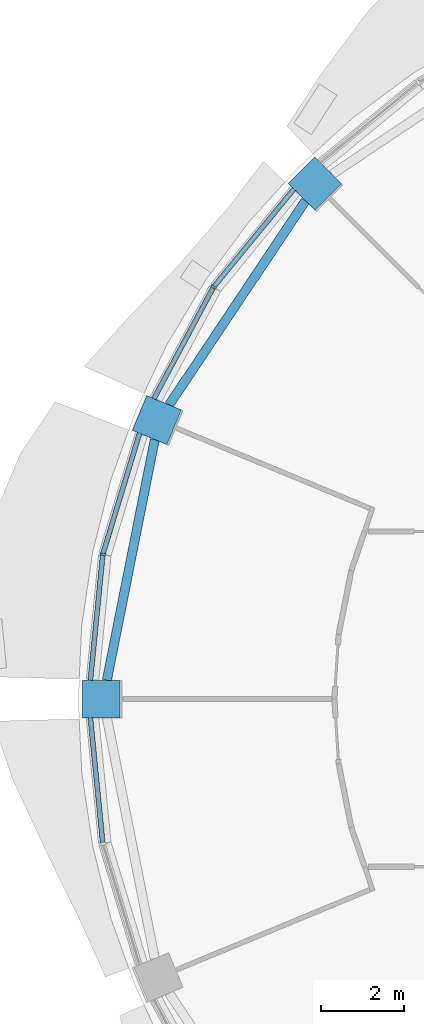
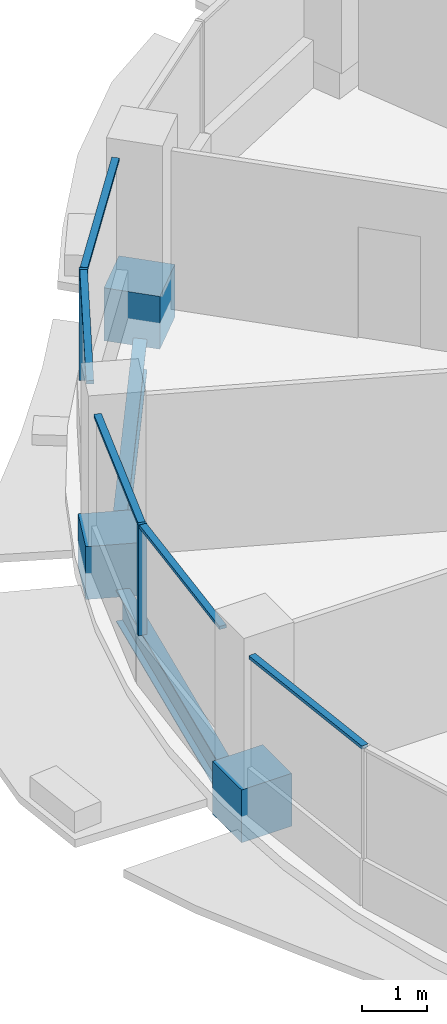
# One storey, part 4 of 15: 10 members, 2 beams, 3 elements without a shape of their own.
"""IFC4 building model written with IfcOpenShell, lengths in metres."""

from ifc_helpers import new_model, si_unit, direction, frame, origin, origin_2d, place, context, subcontext, project, spatial, rectangle, i_section, extrude, material, material_profile, profile_set, type_object, element, aggregate, save


model = new_model("IFC4")

# Units and contexts
model_context = context("Model", 3, precision=1e-05, world=origin(), true_north=direction((0.0, 1.0)))
body_context = subcontext(model_context, "Body", "Model", "MODEL_VIEW")
ifc_project = project(units=[si_unit("LENGTHUNIT", "METRE"), si_unit("AREAUNIT", "SQUARE_METRE"), si_unit("VOLUMEUNIT", "CUBIC_METRE"), si_unit("PLANEANGLEUNIT", "RADIAN"), si_unit("MASSUNIT", "GRAM", prefix="KILO")], contexts=[model_context])

# Site, building, storey
site_placement = place(None, origin())
site = spatial("IfcSite", under=ifc_project, at=site_placement, CompositionType="ELEMENT")
building_placement = place(site_placement, origin())
building = spatial("IfcBuilding", under=site, at=building_placement, Name="Polderwave Tower", CompositionType="ELEMENT")
storey_placement = place(building_placement, frame((0.0, 0.0, 187.64990234375)))
storey = spatial("IfcBuildingStorey", under=building, at=storey_placement, Name="L50", CompositionType="ELEMENT", Elevation=187.64990234375)

# Curtain wall, member
ifc_material_1 = material(Name="Aluminium 6063-T6 and glass", Category="aluminium")
curtain_wall_type = type_object("IfcCurtainWallType", Name="Office ribbon glazing wall", PredefinedType="NOTDEFINED", material=ifc_material_1)
curtain_wall_1_placement = place(storey_placement, origin())
curtain_wall_1 = element("IfcCurtainWall", 1, at=curtain_wall_1_placement, inside=storey, type_object=curtain_wall_type, Name="CW3 L50 06", PredefinedType="NOTDEFINED")
ifc_material_2 = material(Name="Aluminium 6063-T6", Category="aluminium")
ifc_material_profile_1 = material_profile(ifc_material_2, rectangle(XDim=0.139892578125, YDim=0.054931640625, at=origin_2d()), Name="AL 55x140")
ifc_profile_set_1 = profile_set([ifc_material_profile_1], Name="Aluminium 6063-T6")
member_type_1 = type_object("IfcMemberType", Name="Office ribbon glazing mullion 55x140", PredefinedType="MULLION", material=ifc_profile_set_1)
member_1_placement = place(storey_placement, frame((-14.800048828125, 9.888916015625, 0.900146484375), z_axis=(0.0, 0.0, 1.0), x_axis=(0.831419186923, -0.55564569252, 0.0)))
member_1 = element("IfcMember", 2, at=member_1_placement, type_object=member_type_1, Name="CW3 mullion 1", PredefinedType="MULLION", context=body_context, shape_type="SweptSolid", body=[
    extrude(rectangle(XDim=0.139892578125, YDim=0.054931640625, at=origin_2d()), origin(), (0.0, 0.0, 1.0), 2.099853515625),
])

curtain_wall_2_placement = place(storey_placement, origin())
curtain_wall_2 = element("IfcCurtainWall", 3, at=curtain_wall_2_placement, inside=storey, type_object=curtain_wall_type, Name="CW3 L50 07", PredefinedType="NOTDEFINED")
member_2_placement = place(storey_placement, frame((-17.4580078125, 3.472900390625, 0.900146484375), z_axis=(0.0, 0.0, 1.0), x_axis=(0.980762460409, -0.195205010829, 0.0)))
member_2 = element("IfcMember", 4, at=member_2_placement, type_object=member_type_1, Name="CW3 mullion 1", PredefinedType="MULLION", context=body_context, shape_type="SweptSolid", body=[
    extrude(rectangle(XDim=0.139892578125, YDim=0.054931640625, at=origin_2d()), origin(), (0.0, 0.0, 1.0), 2.099853515625),
])

# Member
ifc_material_profile_2 = material_profile(ifc_material_2, rectangle(XDim=0.1201171875, YDim=0.06005859375, at=origin_2d()), Name="AL 60x120")
ifc_profile_set_2 = profile_set([ifc_material_profile_2], Name="Aluminium 6063-T6")
member_type_2 = type_object("IfcMemberType", Name="Office ribbon glazing transom 60x120", PredefinedType="USERDEFINED", material=ifc_profile_set_2)
member_3_placement = place(storey_placement, frame((-12.873046875, 12.237060546875, 2.97021484375), z_axis=(-0.634438411451, -0.772973416151, 0.0), x_axis=(0.772973416151, -0.634438411451, 0.0)))
member_3 = element("IfcMember", 5, at=member_3_placement, type_object=member_type_2, Name="CW3 transom 1", ObjectType="TRANSOM", PredefinedType="USERDEFINED", context=body_context, shape_type="SweptSolid", body=[
    extrude(rectangle(XDim=0.1201171875, YDim=0.06005859375, at=origin_2d()), origin(), (0.0, 0.0, 1.0), 3.010009765625),
])

member_4_placement = place(storey_placement, frame((-14.81298828125, 9.86474609375, 2.97021484375), z_axis=(-0.471514347904, -0.881858389834, 0.0), x_axis=(0.881858389834, -0.471514347904, 0.0)))
member_4 = element("IfcMember", 6, at=member_4_placement, type_object=member_type_2, Name="CW3 transom 2", ObjectType="TRANSOM", PredefinedType="USERDEFINED", context=body_context, shape_type="SweptSolid", body=[
    extrude(rectangle(XDim=0.1201171875, YDim=0.06005859375, at=origin_2d()), origin(), (0.0, 0.0, 1.0), 3.00927734375),
])

aggregate(curtain_wall_1, [member_1, member_3, member_4])

member_5_placement = place(storey_placement, frame((-16.575927734375, 6.37890625, 2.97021484375), z_axis=(-0.290435177237, -0.956894669137, 0.0), x_axis=(0.956894669137, -0.290435177237, 0.0)))
member_5 = element("IfcMember", 7, at=member_5_placement, type_object=member_type_2, Name="CW3 transom 1", ObjectType="TRANSOM", PredefinedType="USERDEFINED", context=body_context, shape_type="SweptSolid", body=[
    extrude(rectangle(XDim=0.1201171875, YDim=0.06005859375, at=origin_2d()), origin(), (0.0, 0.0, 1.0), 3.00927734375),
])

member_6_placement = place(storey_placement, frame((-17.460693359375, 3.445556640625, 2.97021484375), z_axis=(-0.098138471931, -0.995172769084, 0.0), x_axis=(0.995172769084, -0.098138471931, 0.0)))
member_6 = element("IfcMember", 8, at=member_6_placement, type_object=member_type_2, Name="CW3 transom 2", ObjectType="TRANSOM", PredefinedType="USERDEFINED", context=body_context, shape_type="SweptSolid", body=[
    extrude(rectangle(XDim=0.1201171875, YDim=0.06005859375, at=origin_2d()), origin(), (0.0, 0.0, 1.0), 3.01025390625),
])

aggregate(curtain_wall_2, [member_2, member_5, member_6])

# Curtain wall, member
curtain_wall_3_placement = place(storey_placement, origin())
curtain_wall_3 = element("IfcCurtainWall", 9, at=curtain_wall_3_placement, inside=storey, type_object=curtain_wall_type, Name="CW3 L50 08", PredefinedType="NOTDEFINED")
member_7_placement = place(storey_placement, frame((-17.756103515625, -0.449951171875, 2.97021484375), z_axis=(0.098138471931, -0.995172769084, 0.0), x_axis=(0.995172769084, 0.098138471931, 0.0)))
member_7 = element("IfcMember", 10, at=member_7_placement, type_object=member_type_2, Name="CW3 transom 1", ObjectType="TRANSOM", PredefinedType="USERDEFINED", context=body_context, shape_type="SweptSolid", body=[
    extrude(rectangle(XDim=0.1201171875, YDim=0.06005859375, at=origin_2d()), origin(), (0.0, 0.0, 1.0), 3.01025390625),
])
aggregate(curtain_wall_3, [member_7])

# Members
ifc_material_3 = material(Name="Concrete C60/75", Category="concrete")
ifc_material_profile_3 = material_profile(ifc_material_3, rectangle(XDim=0.89990234375, YDim=0.89990234375, at=origin_2d()), Name="RC 900x900")
ifc_profile_set_3 = profile_set([ifc_material_profile_3], Name="Concrete C60/75")
member_type_3 = type_object("IfcMemberType", Name="RC NODE 900x900 C60/75", PredefinedType="POST", material=ifc_profile_set_3)
for number, where, z_axis, x_axis, name in (
    (11, (-12.369140625, 12.369140625, -0.5), (0.0, 0.0, 1.0), (-0.707106781187, 0.707106781187, 0.0), "Ring column node 07"),
    (12, (-16.160888671875, 6.694091796875, -0.5), (0.0, 0.0, 1.0), (-0.923879532511, 0.382683432365, 0.0), "Ring column node 08"),
    (13, (-17.492431640625, 0.0, -0.5), (0.0, 0.0, 1.0), (-1.0, 0.0, 0.0), "Ring column node 09"),
):
    element("IfcMember", number, at=place(storey_placement, frame(where, z_axis=z_axis, x_axis=x_axis)), inside=storey, type_object=member_type_3, Name=name, PredefinedType="POST", context=body_context, shape_type="SweptSolid", body=[
        extrude(rectangle(XDim=0.89990234375, YDim=0.89990234375, at=origin_2d()), origin(), (0.0, 0.0, 1.0), 1.0),
    ])

# Beams
ifc_material_4 = material(Name="Steel S355", Category="steel")
ifc_material_profile_4 = material_profile(ifc_material_4, i_section(OverallWidth=0.219970703125, OverallDepth=0.60009765625, WebThickness=0.011962890625, FlangeThickness=0.01904296875, at=origin_2d()), Name="IPE 600")
ifc_profile_set_4 = profile_set([ifc_material_profile_4], Name="Steel S355")
beam_type = type_object("IfcBeamType", Name="RING BEAM IPE 600", PredefinedType="BEAM", material=ifc_profile_set_4)
beam_1_placement = place(storey_placement, frame((-12.593994140625, 11.95751953125, -0.64990234375), z_axis=(-0.555551093196, -0.831482400805, 0.0), x_axis=(0.831482400805, -0.555551093196, 0.0)))
element("IfcBeam", 14, at=beam_1_placement, inside=storey, type_object=beam_type, Name="ST-RB-L50-06", PredefinedType="BEAM", context=body_context, shape_type="SweptSolid", body=[
    extrude(i_section(OverallWidth=0.219970703125, OverallDepth=0.60009765625, WebThickness=0.011962890625, FlangeThickness=0.01904296875, at=origin_2d()), origin(), (0.0, 0.0, 1.0), 5.890869140625),
])
beam_2_placement = place(storey_placement, frame((-16.211181640625, 6.227783203125, -0.64990234375), z_axis=(-0.195111845788, -0.980780998813, 0.0), x_axis=(0.980780998813, -0.195111845788, 0.0)))
element("IfcBeam", 15, at=beam_2_placement, inside=storey, type_object=beam_type, Name="ST-RB-L50-07", PredefinedType="BEAM", context=body_context, shape_type="SweptSolid", body=[
    extrude(i_section(OverallWidth=0.219970703125, OverallDepth=0.60009765625, WebThickness=0.011962890625, FlangeThickness=0.01904296875, at=origin_2d()), origin(), (0.0, 0.0, 1.0), 5.89111328125),
])

save(model, "model.ifc")
